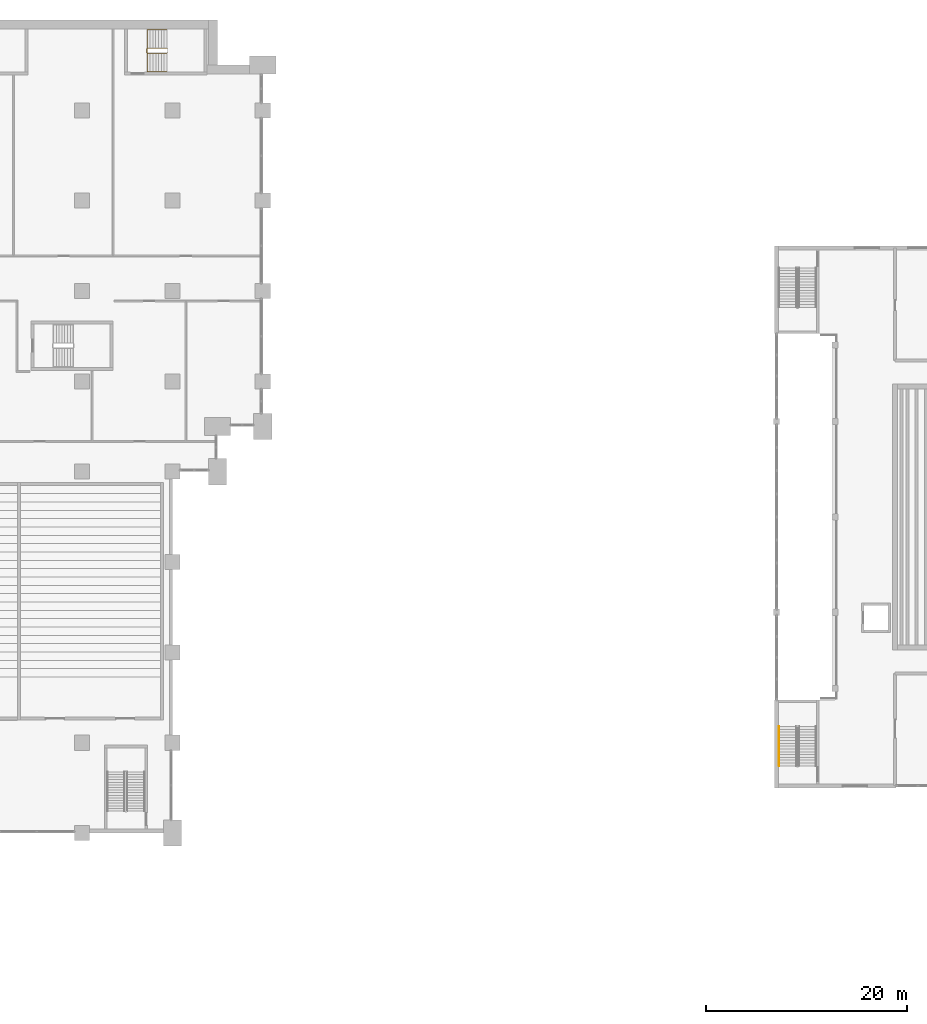
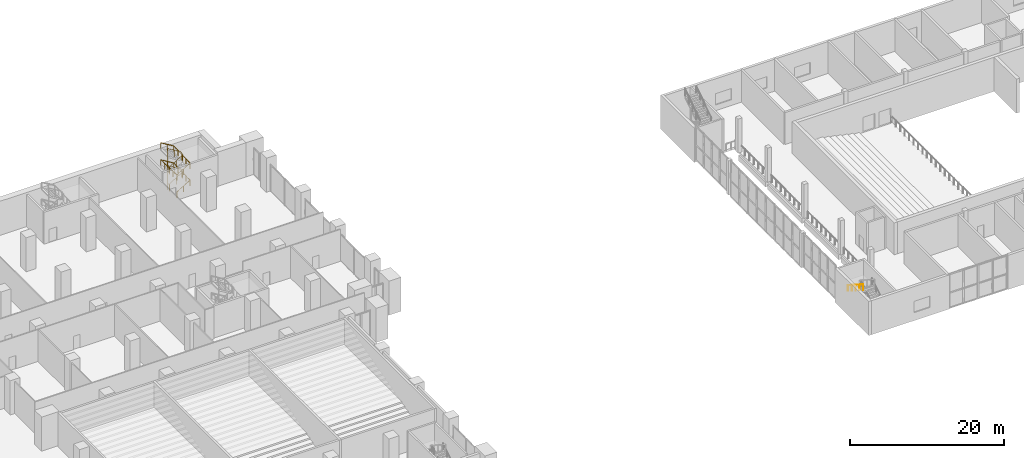
# One storey, part 38 of 44: 3 railings.
"""IFC4 building model written with IfcOpenShell, lengths in metres."""

from ifc_helpers import new_model, si_unit, direction, frame, origin, origin_2d, place, context, subcontext, project, spatial, circle, extrude, material, type_object, element, save


model = new_model("IFC4")

# Units and contexts
model_context = context("Model", 3, precision=1e-05, world=origin(), true_north=direction((0.0, 1.0)))
body_context = subcontext(model_context, "Body", "Model", "MODEL_VIEW")
ifc_project = project(units=[si_unit("LENGTHUNIT", "METRE"), si_unit("AREAUNIT", "SQUARE_METRE"), si_unit("VOLUMEUNIT", "CUBIC_METRE"), si_unit("PLANEANGLEUNIT", "RADIAN"), si_unit("MASSUNIT", "GRAM", prefix="KILO")], contexts=[model_context])

# Site, building, storey
site_placement = place(None, origin())
site = spatial("IfcSite", under=ifc_project, at=site_placement, CompositionType="ELEMENT")
building_placement = place(site_placement, origin())
building = spatial("IfcBuilding", under=site, at=building_placement, Name="Hunhe Ridgeline Campus", CompositionType="ELEMENT")
storey_placement = place(building_placement, frame((0.0, 0.0, 6.0)))
storey = spatial("IfcBuildingStorey", under=building, at=storey_placement, Name="L01", CompositionType="ELEMENT", Elevation=6.0)

# Railings
ifc_material_1 = material(Name="Steel Q235", Category="steel")
railing_type_1 = type_object("IfcRailingType", Name="Hall stair handrail", PredefinedType="HANDRAIL", material=ifc_material_1)
railing_1_placement = place(storey_placement, frame((150.449951171875, 28.6201171875, 2.8798828125)))
element("IfcRailing", 1, at=railing_1_placement, inside=storey, type_object=railing_type_1, Name="L01 HS1 stair handrail 2", PredefinedType="HANDRAIL", context=body_context, shape_type="SweptSolid", body=[
    extrude(circle(Radius=0.02392578125, at=origin_2d()), frame((0.0, 0.0, 0.8759765625), z_axis=(0.0, -0.841186985886, 0.540744352514), x_axis=(1.0, 0.0, 0.0)), (0.0, 0.0, 1.0), 4.660400390625),
    extrude(circle(Radius=0.02099609375, at=origin_2d()), origin(), (0.0, 0.0, 1.0), 0.851806640625),
    extrude(circle(Radius=0.02099609375, at=origin_2d()), frame((0.0, -0.97998046875, 0.6298828125)), (0.0, 0.0, 1.0), 0.851806640625),
    extrude(circle(Radius=0.02099609375, at=origin_2d()), frame((0.0, -1.9599609375, 1.260009765625)), (0.0, 0.0, 1.0), 0.851806640625),
    extrude(circle(Radius=0.02099609375, at=origin_2d()), frame((0.0, -2.940185546875, 1.89013671875)), (0.0, 0.0, 1.0), 0.851806640625),
    extrude(circle(Radius=0.02099609375, at=origin_2d()), frame((0.0, -3.920166015625, 2.52001953125)), (0.0, 0.0, 1.0), 0.851806640625),
])
ifc_material_2 = material(Name="Stainless steel balustrade", Category="steel")
railing_type_2 = type_object("IfcRailingType", Name="Stair guard 1100 stainless", PredefinedType="GUARDRAIL", material=ifc_material_2)
railing_2_placement = place(storey_placement, frame((87.5, 95.699951171875, 0.168701171875)))
element("IfcRailing", 2, at=railing_2_placement, inside=storey, type_object=railing_type_2, Name="L01 stair E4 guard", PredefinedType="GUARDRAIL", context=body_context, shape_type="SweptSolid", body=[
    extrude(circle(Radius=0.02392578125, at=origin_2d()), frame((0.0, 0.0, 1.076171875), z_axis=(0.856446297458, 0.0, 0.516236127728), x_axis=(0.0, 1.0, 0.0)), (0.0, 0.0, 1.0), 2.28857421875),
    extrude(circle(Radius=0.02392578125, at=origin_2d()), frame((1.9599609375, 0.0, 2.25732421875), z_axis=(0.707106781187, 0.707106781187, 0.0), x_axis=(-0.707106781187, 0.707106781187, 0.0)), (0.0, 0.0, 1.0), 0.07080078125),
    extrude(circle(Radius=0.02392578125, at=origin_2d()), frame((2.010009765625, 0.050048828125, 2.25732421875), z_axis=(0.0, 1.0, 0.0), x_axis=(-1.0, 0.0, 0.0)), (0.0, 0.0, 1.0), 0.39990234375),
    extrude(circle(Radius=0.02392578125, at=origin_2d()), frame((2.010009765625, 0.449951171875, 2.25732421875), z_axis=(-0.273569069059, 0.273569069059, 0.922127935218), x_axis=(-0.707106781187, -0.707106781187, 0.0)), (0.0, 0.0, 1.0), 0.182861328125),
    extrude(circle(Radius=0.02392578125, at=origin_2d()), frame((1.9599609375, 0.5, 2.42626953125), z_axis=(-0.856493463811, 0.0, 0.516157869696), x_axis=(0.0, -1.0, 0.0)), (0.0, 0.0, 1.0), 2.288330078125),
    extrude(circle(Radius=0.02392578125, at=origin_2d()), frame((0.0, 0.5, 3.607421875), z_axis=(-0.707106781187, -0.707106781187, 0.0), x_axis=(0.707106781187, -0.707106781187, 0.0)), (0.0, 0.0, 1.0), 0.07080078125),
    extrude(circle(Radius=0.02392578125, at=origin_2d()), frame((-0.050048828125, 0.449951171875, 3.607421875), z_axis=(0.0, -1.0, 0.0), x_axis=(1.0, 0.0, 0.0)), (0.0, 0.0, 1.0), 0.39990234375),
    extrude(circle(Radius=0.02392578125, at=origin_2d()), frame((-0.050048828125, 0.050048828125, 3.607421875), z_axis=(0.273569069059, -0.273569069059, 0.922127935218), x_axis=(0.707106781187, 0.707106781187, 0.0)), (0.0, 0.0, 1.0), 0.182861328125),
    extrude(circle(Radius=0.02392578125, at=origin_2d()), frame((0.0, 0.0, 3.77587890625), z_axis=(0.856446297458, 0.0, 0.516236127728), x_axis=(0.0, 1.0, 0.0)), (0.0, 0.0, 1.0), 2.28857421875),
    extrude(circle(Radius=0.02392578125, at=origin_2d()), frame((1.9599609375, 0.0, 4.95751953125), z_axis=(0.707106781187, 0.707106781187, 0.0), x_axis=(-0.707106781187, 0.707106781187, 0.0)), (0.0, 0.0, 1.0), 0.07080078125),
    extrude(circle(Radius=0.02392578125, at=origin_2d()), frame((2.010009765625, 0.050048828125, 4.95751953125), z_axis=(0.0, 1.0, 0.0), x_axis=(-1.0, 0.0, 0.0)), (0.0, 0.0, 1.0), 0.39990234375),
    extrude(circle(Radius=0.02392578125, at=origin_2d()), frame((2.010009765625, 0.449951171875, 4.95751953125), z_axis=(-0.273569069059, 0.273569069059, 0.922127935218), x_axis=(-0.707106781187, -0.707106781187, 0.0)), (0.0, 0.0, 1.0), 0.182861328125),
    extrude(circle(Radius=0.02392578125, at=origin_2d()), frame((1.9599609375, 0.5, 5.1259765625), z_axis=(-0.856493463811, 0.0, 0.516157869696), x_axis=(0.0, -1.0, 0.0)), (0.0, 0.0, 1.0), 2.288330078125),
    extrude(circle(Radius=0.02392578125, at=origin_2d()), frame((0.0, 0.5, 6.30712890625), z_axis=(-0.009267673019, -0.009267673019, -0.999914106548), x_axis=(1.0, 0.0, 0.0)), (0.0, 0.0, 1.0), 5.400390625),
    extrude(circle(Radius=0.02392578125, at=origin_2d()), frame((-0.050048828125, 0.449951171875, 0.9072265625), z_axis=(0.0, -1.0, 0.0), x_axis=(1.0, 0.0, 0.0)), (0.0, 0.0, 1.0), 0.39990234375),
    extrude(circle(Radius=0.02099609375, at=origin_2d()), origin(), (0.0, 0.0, 1.0), 1.052001953125),
    extrude(circle(Radius=0.02099609375, at=origin_2d()), frame((0.97998046875, 0.0, 0.5908203125)), (0.0, 0.0, 1.0), 1.052001953125),
    extrude(circle(Radius=0.02099609375, at=origin_2d()), frame((1.9599609375, 0.0, 1.181396484375)), (0.0, 0.0, 1.0), 1.052001953125),
    extrude(circle(Radius=0.02099609375, at=origin_2d()), frame((2.010009765625, 0.050048828125, 1.181396484375)), (0.0, 0.0, 1.0), 1.052001953125),
    extrude(circle(Radius=0.02099609375, at=origin_2d()), frame((2.010009765625, 0.449951171875, 1.181396484375)), (0.0, 0.0, 1.0), 1.052001953125),
    extrude(circle(Radius=0.02099609375, at=origin_2d()), frame((1.9599609375, 0.5, 1.35009765625)), (0.0, 0.0, 1.0), 1.052001953125),
    extrude(circle(Radius=0.02099609375, at=origin_2d()), frame((0.97998046875, 0.5, 1.940673828125)), (0.0, 0.0, 1.0), 1.052001953125),
    extrude(circle(Radius=0.02099609375, at=origin_2d()), frame((0.0, 0.5, 2.53125)), (0.0, 0.0, 1.0), 1.052001953125),
    extrude(circle(Radius=0.02099609375, at=origin_2d()), frame((-0.050048828125, 0.449951171875, 2.53125)), (0.0, 0.0, 1.0), 1.052001953125),
    extrude(circle(Radius=0.02099609375, at=origin_2d()), frame((-0.050048828125, 0.050048828125, 2.53125)), (0.0, 0.0, 1.0), 1.052001953125),
    extrude(circle(Radius=0.02099609375, at=origin_2d()), frame((0.0, 0.0, 2.699951171875)), (0.0, 0.0, 1.0), 1.052001953125),
    extrude(circle(Radius=0.02099609375, at=origin_2d()), frame((0.97998046875, 0.0, 3.29052734375)), (0.0, 0.0, 1.0), 1.052001953125),
    extrude(circle(Radius=0.02099609375, at=origin_2d()), frame((1.9599609375, 0.0, 3.88134765625)), (0.0, 0.0, 1.0), 1.052001953125),
    extrude(circle(Radius=0.02099609375, at=origin_2d()), frame((2.010009765625, 0.050048828125, 3.88134765625)), (0.0, 0.0, 1.0), 1.052001953125),
    extrude(circle(Radius=0.02099609375, at=origin_2d()), frame((2.010009765625, 0.449951171875, 3.88134765625)), (0.0, 0.0, 1.0), 1.052001953125),
    extrude(circle(Radius=0.02099609375, at=origin_2d()), frame((1.9599609375, 0.5, 4.050048828125)), (0.0, 0.0, 1.0), 1.052001953125),
    extrude(circle(Radius=0.02099609375, at=origin_2d()), frame((0.97998046875, 0.5, 4.640625)), (0.0, 0.0, 1.0), 1.052001953125),
    extrude(circle(Radius=0.02099609375, at=origin_2d()), frame((0.0, 0.5, 5.231201171875)), (0.0, 0.0, 1.0), 1.052001953125),
    extrude(circle(Radius=0.02099609375, at=origin_2d()), frame((-0.010009765625, 0.489990234375, 4.151123046875)), (0.0, 0.0, 1.0), 1.052001953125),
    extrude(circle(Radius=0.02099609375, at=origin_2d()), frame((-0.02001953125, 0.47998046875, 3.0712890625)), (0.0, 0.0, 1.0), 1.052001953125),
    extrude(circle(Radius=0.02099609375, at=origin_2d()), frame((-0.030029296875, 0.469970703125, 1.9912109375)), (0.0, 0.0, 1.0), 1.052001953125),
    extrude(circle(Radius=0.02099609375, at=origin_2d()), frame((-0.0400390625, 0.4599609375, 0.911376953125)), (0.0, 0.0, 1.0), 1.052001953125),
    extrude(circle(Radius=0.02099609375, at=origin_2d()), frame((-0.050048828125, 0.449951171875, -0.168701171875)), (0.0, 0.0, 1.0), 1.052001953125),
    extrude(circle(Radius=0.02099609375, at=origin_2d()), frame((-0.050048828125, 0.050048828125, -0.168701171875)), (0.0, 0.0, 1.0), 1.052001953125),
])
ifc_material_3 = material(Name="Stainless steel handrail", Category="steel")
railing_type_3 = type_object("IfcRailingType", Name="Stair handrail 900 stainless", PredefinedType="HANDRAIL", material=ifc_material_3)
railing_3_placement = place(storey_placement, frame((87.5, 93.85009765625, 0.168701171875)))
element("IfcRailing", 3, at=railing_3_placement, inside=storey, type_object=railing_type_3, Name="L01 stair E4 handrail", PredefinedType="HANDRAIL", context=body_context, shape_type="SweptSolid", body=[
    extrude(circle(Radius=0.02392578125, at=origin_2d()), frame((0.0, 0.0, 0.8759765625), z_axis=(0.856446297458, 0.0, 0.516236127728), x_axis=(0.0, 1.0, 0.0)), (0.0, 0.0, 1.0), 2.28857421875),
    extrude(circle(Radius=0.02392578125, at=origin_2d()), frame((1.9599609375, 0.0, 2.05712890625), z_axis=(0.0, 0.999194264342, 0.040135048344), x_axis=(-1.0, 0.0, 0.0)), (0.0, 0.0, 1.0), 4.203369140625),
    extrude(circle(Radius=0.02392578125, at=origin_2d()), frame((1.9599609375, 4.199951171875, 2.22607421875), z_axis=(-0.856493463811, 0.0, 0.516157869696), x_axis=(0.0, -1.0, 0.0)), (0.0, 0.0, 1.0), 2.288330078125),
    extrude(circle(Radius=0.02392578125, at=origin_2d()), frame((0.0, 4.199951171875, 3.4072265625), z_axis=(0.0, -0.999194264342, 0.040135048344), x_axis=(1.0, 0.0, 0.0)), (0.0, 0.0, 1.0), 4.203369140625),
    extrude(circle(Radius=0.02392578125, at=origin_2d()), frame((0.0, 0.0, 3.57568359375), z_axis=(0.856446297458, 0.0, 0.516236127728), x_axis=(0.0, 1.0, 0.0)), (0.0, 0.0, 1.0), 2.28857421875),
    extrude(circle(Radius=0.02392578125, at=origin_2d()), frame((1.9599609375, 0.0, 4.75732421875), z_axis=(0.0, 0.999194264342, 0.040135048344), x_axis=(-1.0, 0.0, 0.0)), (0.0, 0.0, 1.0), 4.203369140625),
    extrude(circle(Radius=0.02392578125, at=origin_2d()), frame((1.9599609375, 4.199951171875, 4.92578125), z_axis=(-0.856493463811, 0.0, 0.516157869696), x_axis=(0.0, -1.0, 0.0)), (0.0, 0.0, 1.0), 2.288330078125),
    extrude(circle(Radius=0.02099609375, at=origin_2d()), origin(), (0.0, 0.0, 1.0), 0.851806640625),
    extrude(circle(Radius=0.02099609375, at=origin_2d()), frame((0.97998046875, 0.0, 0.5908203125)), (0.0, 0.0, 1.0), 0.851806640625),
    extrude(circle(Radius=0.02099609375, at=origin_2d()), frame((1.9599609375, 0.0, 1.181396484375)), (0.0, 0.0, 1.0), 0.851806640625),
    extrude(circle(Radius=0.02099609375, at=origin_2d()), frame((1.9599609375, 1.050048828125, 1.2236328125)), (0.0, 0.0, 1.0), 0.851806640625),
    extrude(circle(Radius=0.02099609375, at=origin_2d()), frame((1.9599609375, 2.10009765625, 1.265625)), (0.0, 0.0, 1.0), 0.851806640625),
    extrude(circle(Radius=0.02099609375, at=origin_2d()), frame((1.9599609375, 3.14990234375, 1.307861328125)), (0.0, 0.0, 1.0), 0.851806640625),
    extrude(circle(Radius=0.02099609375, at=origin_2d()), frame((1.9599609375, 4.199951171875, 1.35009765625)), (0.0, 0.0, 1.0), 0.851806640625),
    extrude(circle(Radius=0.02099609375, at=origin_2d()), frame((0.97998046875, 4.199951171875, 1.940673828125)), (0.0, 0.0, 1.0), 0.851806640625),
    extrude(circle(Radius=0.02099609375, at=origin_2d()), frame((0.0, 4.199951171875, 2.53125)), (0.0, 0.0, 1.0), 0.851806640625),
    extrude(circle(Radius=0.02099609375, at=origin_2d()), frame((0.0, 3.14990234375, 2.573486328125)), (0.0, 0.0, 1.0), 0.851806640625),
    extrude(circle(Radius=0.02099609375, at=origin_2d()), frame((0.0, 2.10009765625, 2.61572265625)), (0.0, 0.0, 1.0), 0.851806640625),
    extrude(circle(Radius=0.02099609375, at=origin_2d()), frame((0.0, 1.050048828125, 2.65771484375)), (0.0, 0.0, 1.0), 0.851806640625),
    extrude(circle(Radius=0.02099609375, at=origin_2d()), frame((0.0, 0.0, 2.699951171875)), (0.0, 0.0, 1.0), 0.851806640625),
    extrude(circle(Radius=0.02099609375, at=origin_2d()), frame((0.97998046875, 0.0, 3.29052734375)), (0.0, 0.0, 1.0), 0.851806640625),
    extrude(circle(Radius=0.02099609375, at=origin_2d()), frame((1.9599609375, 0.0, 3.88134765625)), (0.0, 0.0, 1.0), 0.851806640625),
    extrude(circle(Radius=0.02099609375, at=origin_2d()), frame((1.9599609375, 1.050048828125, 3.923583984375)), (0.0, 0.0, 1.0), 0.851806640625),
    extrude(circle(Radius=0.02099609375, at=origin_2d()), frame((1.9599609375, 2.10009765625, 3.9658203125)), (0.0, 0.0, 1.0), 0.851806640625),
    extrude(circle(Radius=0.02099609375, at=origin_2d()), frame((1.9599609375, 3.14990234375, 4.0078125)), (0.0, 0.0, 1.0), 0.851806640625),
    extrude(circle(Radius=0.02099609375, at=origin_2d()), frame((1.9599609375, 4.199951171875, 4.050048828125)), (0.0, 0.0, 1.0), 0.851806640625),
    extrude(circle(Radius=0.02099609375, at=origin_2d()), frame((0.97998046875, 4.199951171875, 4.640625)), (0.0, 0.0, 1.0), 0.851806640625),
    extrude(circle(Radius=0.02099609375, at=origin_2d()), frame((0.0, 4.199951171875, 5.231201171875)), (0.0, 0.0, 1.0), 0.851806640625),
])

save(model, "model.ifc")
